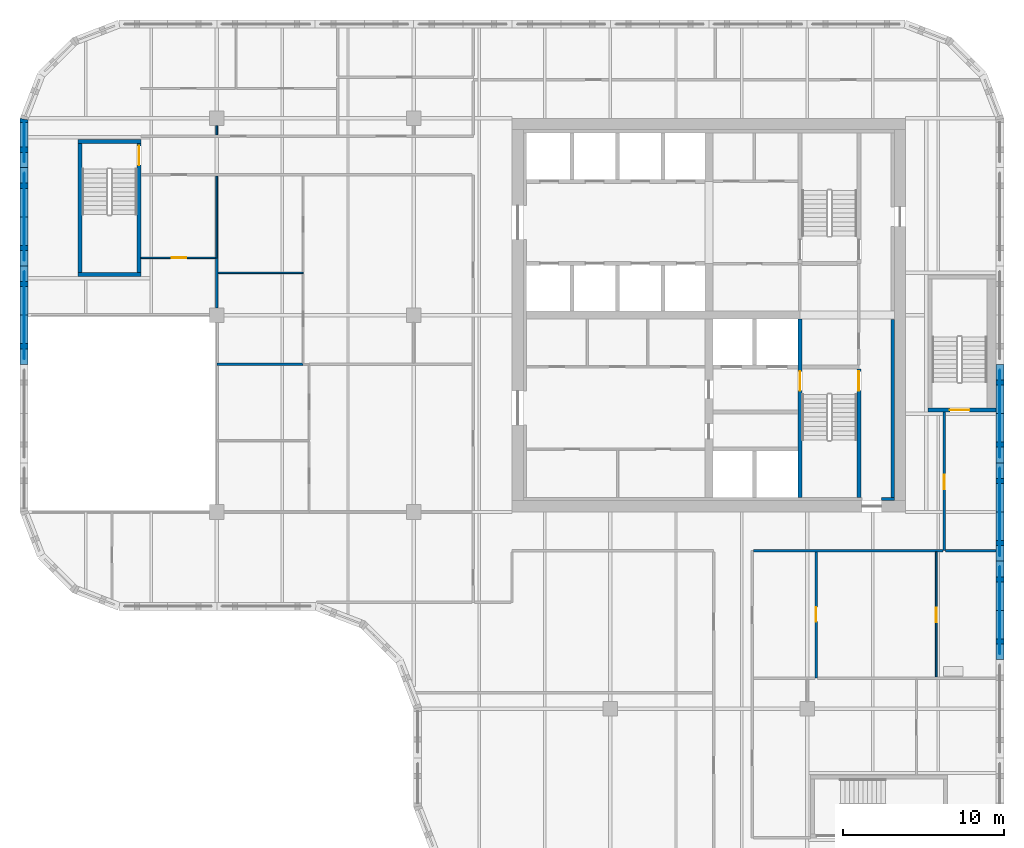
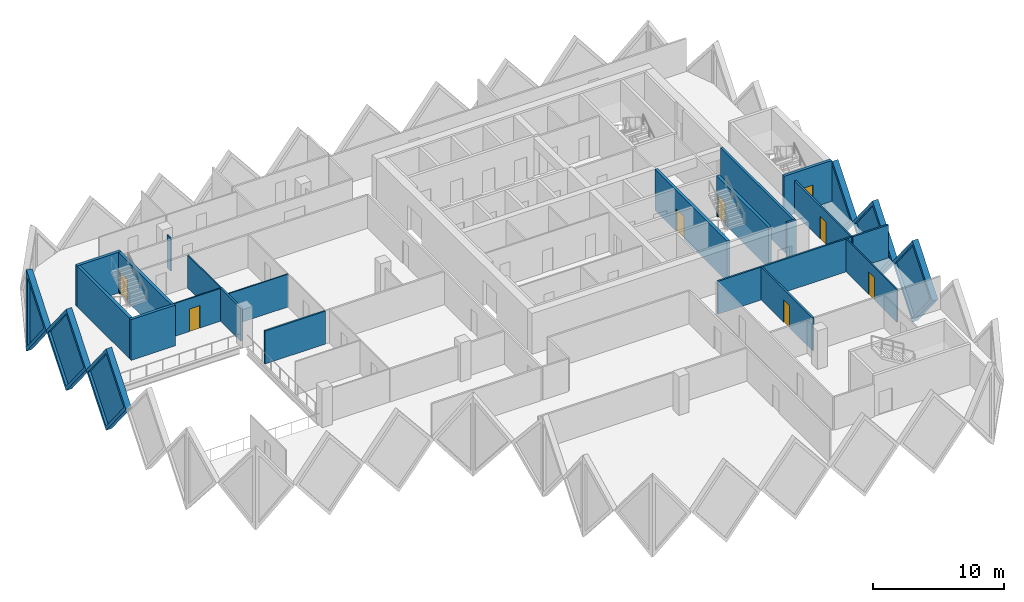
# One storey, part 6 of 12: 26 walls, 8 doors, 6 plates, 14 openings.
"""IFC4 building model written with IfcOpenShell, lengths in metres."""

from ifc_helpers import new_model, si_unit, direction, frame, frame_2d, origin, place, context, subcontext, project, spatial, polyline, rectangle, outline, extrude, faceted_brep, source, transform, mapped, material, layer, layer_set, type_object, element, fill, save


model = new_model("IFC4")

# Units and contexts
model_context = context("Model", 3, precision=1e-05, world=origin(), true_north=direction((0.0, 1.0)))
body_context = subcontext(model_context, "Body", "Model", "MODEL_VIEW")
ifc_project = project(units=[si_unit("LENGTHUNIT", "METRE"), si_unit("AREAUNIT", "SQUARE_METRE"), si_unit("VOLUMEUNIT", "CUBIC_METRE"), si_unit("PLANEANGLEUNIT", "RADIAN"), si_unit("MASSUNIT", "GRAM", prefix="KILO")], contexts=[model_context])

# Site, building, storey
site_placement = place(None, origin())
site = spatial("IfcSite", under=ifc_project, at=site_placement, CompositionType="ELEMENT")
building_placement = place(site_placement, origin())
building = spatial("IfcBuilding", under=site, at=building_placement, Name="Tessera Gate Towers", CompositionType="ELEMENT")
storey_placement = place(building_placement, frame((0.0, 0.0, 124.0)))
storey = spatial("IfcBuildingStorey", under=building, at=storey_placement, Name="L30", CompositionType="ELEMENT", Elevation=124.0)

# Wall, opening, door
ifc_material_1 = material(Name="Concrete C40/50", Category="concrete")
ifc_layer_1 = layer(ifc_material_1, 0.25)
ifc_layer_set_1 = layer_set([ifc_layer_1], Name="CORE ENCLOSURE WALL 250")
wall_type_1 = type_object("IfcWallType", Name="CORE ENCLOSURE WALL 250", PredefinedType="SOLIDWALL", material=ifc_layer_set_1)
wall_1_placement = place(storey_placement, frame((48.35009765625, 36.35009765625, 0.0), z_axis=(0.0, 0.0, 1.0), x_axis=(0.0, -1.0, 0.0)))
wall_1 = element("IfcWall", 1, at=wall_1_placement, inside=storey, type_object=wall_type_1, Name="L30 shaft and stair enclosure wall", PredefinedType="SOLIDWALL", context=body_context, shape_type="SweptSolid", body=[
    extrude(rectangle(XDim=11.050048828125, YDim=0.25, at=frame_2d((5.52490234375, 0.0))), origin(), (0.0, 0.0, 1.0), 3.800048828125),
])
shared_shape_1 = source(origin(), body_context, "Body", "SweptSolid", [
    extrude(rectangle(XDim=1.199951171875, YDim=2.10009765625, at=frame_2d((0.60009765625, 1.050048828125))), frame((0.0, 0.135009765625, 0.0), z_axis=(0.0, -1.0, 0.0), x_axis=(1.0, 0.0, 0.0)), (0.0, 0.0, 1.0), 0.27001953125),
])
opening_1_placement = place(wall_1_placement, frame((3.22509765625, 0.0, 0.0)))
opening_1 = element("IfcOpeningElement", 2, at=opening_1_placement, cuts=wall_1, Name="Opening SD-ST1-1", PredefinedType="OPENING", context=body_context, shape_type="MappedRepresentation", body=[
    mapped(shared_shape_1, transform((0.0, 0.0, 0.0), scale=1.0)),
])
ifc_material_2 = material(Name="Hollow steel fire door", Category="steel")
door_type_1 = type_object("IfcDoorType", Name="CORE DOOR SD 1200x2100", OperationType="NOTDEFINED", PredefinedType="DOOR", material=ifc_material_2)
shared_shape_2 = source(origin(), body_context, "Body", "SweptSolid", [
    extrude(rectangle(XDim=1.199951171875, YDim=2.10009765625, at=frame_2d((0.60009765625, 1.050048828125))), frame((0.0, 0.02490234375, 0.0), z_axis=(0.0, -1.0, 0.0), x_axis=(1.0, 0.0, 0.0)), (0.0, 0.0, 1.0), 0.050048828125),
])
door_1_placement = place(opening_1_placement, origin())
door_1 = element("IfcDoor", 3, at=door_1_placement, inside=storey, type_object=door_type_1, Name="Stair door", OperationType="SINGLE_SWING_LEFT", OverallHeight=2.10009765625, OverallWidth=1.199951171875, PredefinedType="DOOR", context=body_context, shape_type="MappedRepresentation", body=[
    mapped(shared_shape_2, transform((0.0, 0.0, 0.0), scale=1.0)),
])
fill(opening_1, door_1)

wall_2_placement = place(storey_placement, frame((52.0, 25.300048828125, 0.0), z_axis=(0.0, 0.0, 1.0), x_axis=(0.0, 1.0, 0.0)))
wall_2 = element("IfcWall", 4, at=wall_2_placement, inside=storey, type_object=wall_type_1, Name="L30 shaft and stair enclosure wall", PredefinedType="SOLIDWALL", context=body_context, shape_type="SweptSolid", body=[
    extrude(rectangle(XDim=7.974853515625, YDim=0.25, at=frame_2d((3.9873046875, 0.0))), origin(), (0.0, 0.0, 1.0), 3.800048828125),
])
opening_2_placement = place(wall_2_placement, frame((6.625, 0.0, 0.0)))
opening_2 = element("IfcOpeningElement", 5, at=opening_2_placement, cuts=wall_2, Name="Opening SD-ST1-2", PredefinedType="OPENING", context=body_context, shape_type="MappedRepresentation", body=[
    mapped(shared_shape_1, transform((0.0, 0.0, 0.0), scale=1.0)),
])
door_2_placement = place(opening_2_placement, origin())
door_2 = element("IfcDoor", 6, at=door_2_placement, inside=storey, type_object=door_type_1, Name="Stair door", OperationType="SINGLE_SWING_RIGHT", OverallHeight=2.10009765625, OverallWidth=1.199951171875, PredefinedType="DOOR", context=body_context, shape_type="MappedRepresentation", body=[
    mapped(shared_shape_2, transform((0.0, 0.0, 0.0), scale=1.0)),
])
fill(opening_2, door_2)

# Walls
wall_3_placement = place(storey_placement, frame((7.5, 39.125, 0.0), z_axis=(0.0, 0.0, 1.0), x_axis=(-1.0, 0.0, 0.0)))
element("IfcWall", 7, at=wall_3_placement, inside=storey, type_object=wall_type_1, Name="L30 ST3 enclosure wall", PredefinedType="SOLIDWALL", context=body_context, shape_type="SweptSolid", body=[
    extrude(rectangle(XDim=3.89990234375, YDim=0.25, at=frame_2d((1.949951171875, 0.0))), origin(), (0.0, 0.0, 1.0), 3.800048828125),
])
wall_4_placement = place(storey_placement, frame((3.72509765625, 39.25, 0.0), z_axis=(0.0, 0.0, 1.0), x_axis=(0.0, 1.0, 0.0)))
element("IfcWall", 8, at=wall_4_placement, inside=storey, type_object=wall_type_1, Name="L30 ST3 enclosure wall", PredefinedType="SOLIDWALL", context=body_context, shape_type="SweptSolid", body=[
    extrude(rectangle(XDim=8.0, YDim=0.25, at=frame_2d((4.0, 0.0))), origin(), (0.0, 0.0, 1.0), 3.800048828125),
])
wall_5_placement = place(storey_placement, frame((3.60009765625, 47.375, 0.0), z_axis=(0.0, 0.0, 1.0), x_axis=(1.0, 0.0, 0.0)))
element("IfcWall", 9, at=wall_5_placement, inside=storey, type_object=wall_type_1, Name="L30 ST3 enclosure wall", PredefinedType="SOLIDWALL", context=body_context, shape_type="SweptSolid", body=[
    extrude(rectangle(XDim=3.89990234375, YDim=0.25, at=frame_2d((1.949951171875, 0.0))), origin(), (0.0, 0.0, 1.0), 3.800048828125),
])

# Wall, opening, door
wall_6_placement = place(storey_placement, frame((7.375, 47.25, 0.0), z_axis=(0.0, 0.0, 1.0), x_axis=(0.0, -1.0, 0.0)))
wall_6 = element("IfcWall", 10, at=wall_6_placement, inside=storey, type_object=wall_type_1, Name="L30 ST3 enclosure wall", PredefinedType="SOLIDWALL", context=body_context, shape_type="SweptSolid", body=[
    extrude(rectangle(XDim=8.0, YDim=0.25, at=frame_2d((4.0, 0.0))), origin(), (0.0, 0.0, 1.0), 3.800048828125),
])
opening_3_placement = place(wall_6_placement, frame((0.14990234375, 0.0, 0.0)))
opening_3 = element("IfcOpeningElement", 11, at=opening_3_placement, cuts=wall_6, Name="Opening SD-ST3-1", PredefinedType="OPENING", context=body_context, shape_type="MappedRepresentation", body=[
    mapped(shared_shape_1, transform((0.0, 0.0, 0.0), scale=1.0)),
])
door_3_placement = place(opening_3_placement, origin())
door_3 = element("IfcDoor", 12, at=door_3_placement, inside=storey, type_object=door_type_1, Name="Stair door", OperationType="SINGLE_SWING_LEFT", OverallHeight=2.10009765625, OverallWidth=1.199951171875, PredefinedType="DOOR", context=body_context, shape_type="MappedRepresentation", body=[
    mapped(shared_shape_2, transform((0.0, 0.0, 0.0), scale=1.0)),
])
fill(opening_3, door_3)

wall_7_placement = place(storey_placement, frame((60.5, 30.72509765625, 0.0), z_axis=(0.0, 0.0, 1.0), x_axis=(-1.0, 0.0, 0.0)))
wall_7 = element("IfcWall", 13, at=wall_7_placement, inside=storey, type_object=wall_type_1, Name="L30 ST5 enclosure wall", PredefinedType="SOLIDWALL", context=body_context, shape_type="SweptSolid", body=[
    extrude(rectangle(XDim=4.199951171875, YDim=0.25, at=frame_2d((2.10009765625, 0.0))), origin(), (0.0, 0.0, 1.0), 3.800048828125),
])
opening_4_placement = place(wall_7_placement, frame((1.64990234375, 0.0, 0.0)))
opening_4 = element("IfcOpeningElement", 14, at=opening_4_placement, cuts=wall_7, Name="Opening SD-ST5-1", PredefinedType="OPENING", context=body_context, shape_type="MappedRepresentation", body=[
    mapped(shared_shape_1, transform((0.0, 0.0, 0.0), scale=1.0)),
])
door_4_placement = place(opening_4_placement, origin())
door_4 = element("IfcDoor", 15, at=door_4_placement, inside=storey, type_object=door_type_1, Name="Stair door", OperationType="SINGLE_SWING_RIGHT", OverallHeight=2.10009765625, OverallWidth=1.199951171875, PredefinedType="DOOR", context=body_context, shape_type="MappedRepresentation", body=[
    mapped(shared_shape_2, transform((0.0, 0.0, 0.0), scale=1.0)),
])
fill(opening_4, door_4)

# Walls
ifc_material_3 = material(Name="Concrete C60/75", Category="concrete")
ifc_layer_2 = layer(ifc_material_3, 0.199951171875)
ifc_layer_set_2 = layer_set([ifc_layer_2], Name="CORE WALL THICKENING 200")
wall_type_2 = type_object("IfcWallType", Name="CORE WALL THICKENING 200", PredefinedType="SOLIDWALL", material=ifc_layer_set_2)
wall_8_placement = place(storey_placement, frame((53.39990234375, 25.199951171875, 0.0), z_axis=(0.0, 0.0, 1.0), x_axis=(1.0, 0.0, 0.0)))
element("IfcWall", 16, at=wall_8_placement, inside=storey, type_object=wall_type_2, Name="Core wall thickening S L30", PredefinedType="SOLIDWALL", context=body_context, shape_type="SweptSolid", body=[
    extrude(rectangle(XDim=0.800048828125, YDim=0.199951171875, at=frame_2d((0.39990234375, 0.0))), origin(), (0.0, 0.0, 1.0), 3.800048828125),
])
wall_9_placement = place(storey_placement, frame((54.10009765625, 25.300048828125, 0.0), z_axis=(0.0, 0.0, 1.0), x_axis=(0.0, 1.0, 0.0)))
element("IfcWall", 17, at=wall_9_placement, inside=storey, type_object=wall_type_2, Name="Core wall thickening E L30", PredefinedType="SOLIDWALL", context=body_context, shape_type="SweptSolid", body=[
    extrude(rectangle(XDim=11.02001953125, YDim=0.199951171875, at=frame_2d((5.510009765625, 0.0))), origin(), (0.0, 0.0, 1.0), 3.800048828125),
])
ifc_material_4 = material(Name="Gypsum board on steel studs, mineral wool", Category="steel")
ifc_layer_3 = layer(ifc_material_4, 0.14990234375)
ifc_layer_set_3 = layer_set([ifc_layer_3], Name="CORRIDOR WALL 150")
wall_type_3 = type_object("IfcWallType", Name="CORRIDOR WALL 150", PredefinedType="PARTITIONING", material=ifc_layer_set_3)
wall_10_placement = place(storey_placement, frame((45.47607421875, 22.0, 0.0), z_axis=(0.0, 0.0, 1.0), x_axis=(1.0, 0.0, 0.0)))
element("IfcWall", 18, at=wall_10_placement, inside=storey, type_object=wall_type_3, Name="T1-L30-PW-018", PredefinedType="PARTITIONING", context=body_context, shape_type="SweptSolid", body=[
    extrude(rectangle(XDim=11.748046875, YDim=0.14990234375, at=frame_2d((5.8740234375, 0.0))), origin(), (0.0, 0.0, 1.0), 3.06689453125),
])

# Wall, opening, door
wall_11_placement = place(storey_placement, frame((57.300048828125, 30.60009765625, 0.0), z_axis=(0.0, 0.0, 1.0), x_axis=(0.0, -1.0, 0.0)))
wall_11 = element("IfcWall", 19, at=wall_11_placement, inside=storey, type_object=wall_type_3, Name="T1-L30-PW-019", PredefinedType="PARTITIONING", context=body_context, shape_type="SweptSolid", body=[
    extrude(rectangle(XDim=8.60009765625, YDim=0.14990234375, at=frame_2d((4.300048828125, 0.0))), origin(), (0.0, 0.0, 1.0), 3.06689453125),
])
shared_shape_3 = source(origin(), body_context, "Body", "SweptSolid", [
    extrude(rectangle(XDim=0.89990234375, YDim=2.10009765625, at=frame_2d((0.449951171875, 1.050048828125))), frame((0.0, 0.0849609375, 0.0), z_axis=(0.0, -1.0, 0.0), x_axis=(1.0, 0.0, 0.0)), (0.0, 0.0, 1.0), 0.169921875),
])
opening_5_placement = place(wall_11_placement, frame((3.89990234375, 0.0, 0.0)))
opening_5 = element("IfcOpeningElement", 20, at=opening_5_placement, cuts=wall_11, Name="Opening D890FD60-A11-03", PredefinedType="OPENING", context=body_context, shape_type="MappedRepresentation", body=[
    mapped(shared_shape_3, transform((0.0, 0.0, 0.0), scale=1.0)),
])
ifc_material_5 = material(Name="Timber door leaf in steel frame", Category="steel")
door_type_2 = type_object("IfcDoorType", Name="CORRIDOR DOOR 900 FD60", OperationType="NOTDEFINED", PredefinedType="DOOR", material=ifc_material_5)
shared_shape_4 = source(origin(), body_context, "Body", "SweptSolid", [
    extrude(rectangle(XDim=0.89990234375, YDim=2.10009765625, at=frame_2d((0.449951171875, 1.050048828125))), frame((0.0, 0.02490234375, 0.0), z_axis=(0.0, -1.0, 0.0), x_axis=(1.0, 0.0, 0.0)), (0.0, 0.0, 1.0), 0.050048828125),
])
door_5_placement = place(opening_5_placement, origin())
door_5 = element("IfcDoor", 21, at=door_5_placement, inside=storey, type_object=door_type_2, Name="T1-L30-PD-017", OperationType="SINGLE_SWING_RIGHT", OverallHeight=2.10009765625, OverallWidth=0.89990234375, PredefinedType="DOOR", context=body_context, shape_type="MappedRepresentation", body=[
    mapped(shared_shape_4, transform((0.0, 0.0, 0.0), scale=1.0)),
])
fill(opening_5, door_5)

# Wall
ifc_material_6 = material(Name="Glass", Category="glass")
ifc_layer_4 = layer(ifc_material_6, 0.10009765625)
ifc_layer_set_4 = layer_set([ifc_layer_4], Name="GLAZED PARTITION 100")
wall_type_4 = type_object("IfcWallType", Name="GLAZED PARTITION 100", PredefinedType="PARTITIONING", material=ifc_layer_set_4)
wall_12_placement = place(storey_placement, frame((12.199951171875, 40.156005859375, 0.0), z_axis=(0.0, 0.0, 1.0), x_axis=(0.0, 1.0, 0.0)))
element("IfcWall", 22, at=wall_12_placement, inside=storey, type_object=wall_type_4, Name="T1-L30-PW-036", PredefinedType="PARTITIONING", context=body_context, shape_type="SweptSolid", body=[
    extrude(rectangle(XDim=5.068115234375, YDim=0.10009765625, at=frame_2d((2.5341796875, 0.0))), origin(), (0.0, 0.0, 1.0), 3.06689453125),
])

# Wall, opening, door
ifc_material_7 = material(Name="Gypsum board on steel studs", Category="steel")
ifc_layer_5 = layer(ifc_material_7, 0.10009765625)
ifc_layer_set_5 = layer_set([ifc_layer_5], Name="PARTITION 100")
wall_type_5 = type_object("IfcWallType", Name="PARTITION 100", PredefinedType="PARTITIONING", material=ifc_layer_set_5)
wall_13_placement = place(storey_placement, frame((56.800048828125, 21.924072265625, 0.0), z_axis=(0.0, 0.0, 1.0), x_axis=(0.0, -1.0, 0.0)))
wall_13 = element("IfcWall", 23, at=wall_13_placement, inside=storey, type_object=wall_type_5, Name="T1-L30-PW-011", PredefinedType="PARTITIONING", context=body_context, shape_type="SweptSolid", body=[
    extrude(rectangle(XDim=7.748046875, YDim=0.10009765625, at=frame_2d((3.8740234375, 0.0))), origin(), (0.0, 0.0, 1.0), 3.06689453125),
])
shared_shape_5 = source(origin(), body_context, "Body", "SweptSolid", [
    extrude(rectangle(XDim=0.89990234375, YDim=2.10009765625, at=frame_2d((0.449951171875, 1.050048828125))), frame((0.0, 0.06005859375, 0.0), z_axis=(0.0, -1.0, 0.0), x_axis=(1.0, 0.0, 0.0)), (0.0, 0.0, 1.0), 0.1201171875),
])
opening_6_placement = place(wall_13_placement, frame((3.447998046875, 0.0, 0.0)))
opening_6 = element("IfcOpeningElement", 24, at=opening_6_placement, cuts=wall_13, Name="Opening D190-A11-03", PredefinedType="OPENING", context=body_context, shape_type="MappedRepresentation", body=[
    mapped(shared_shape_5, transform((0.0, 0.0, 0.0), scale=1.0)),
])
ifc_material_8 = material(Name="Timber door leaf in steel frame", Category="steel")
door_type_3 = type_object("IfcDoorType", Name="INTERNAL DOOR 900 NOT RATED", OperationType="NOTDEFINED", PredefinedType="DOOR", material=ifc_material_8)
door_6_placement = place(opening_6_placement, origin())
door_6 = element("IfcDoor", 25, at=door_6_placement, inside=storey, type_object=door_type_3, Name="T1-L30-PD-012", OperationType="SINGLE_SWING_RIGHT", OverallHeight=2.10009765625, OverallWidth=0.89990234375, PredefinedType="DOOR", context=body_context, shape_type="MappedRepresentation", body=[
    mapped(shared_shape_4, transform((0.0, 0.0, 0.0), scale=1.0)),
])
fill(opening_6, door_6)

# Wall
wall_14_placement = place(storey_placement, frame((12.27587890625, 39.22607421875, 0.0), z_axis=(0.0, 0.0, 1.0), x_axis=(1.0, 0.0, 0.0)))
element("IfcWall", 26, at=wall_14_placement, inside=storey, type_object=wall_type_5, Name="T1-L30-PW-033", PredefinedType="PARTITIONING", context=body_context, shape_type="SweptSolid", body=[
    extrude(rectangle(XDim=5.274169921875, YDim=0.10009765625, at=frame_2d((2.63720703125, 0.0))), origin(), (0.0, 0.0, 1.0), 3.06689453125),
])

# Wall, opening, door
wall_15_placement = place(storey_placement, frame((12.1240234375, 40.155029296875, 0.0), z_axis=(0.0, 0.0, 1.0), x_axis=(-1.0, 0.0, 0.0)))
wall_15 = element("IfcWall", 27, at=wall_15_placement, inside=storey, type_object=wall_type_5, Name="T1-L30-PW-035", PredefinedType="PARTITIONING", context=body_context, shape_type="SweptSolid", body=[
    extrude(rectangle(XDim=4.6240234375, YDim=0.10009765625, at=frame_2d((2.31201171875, 0.0))), origin(), (0.0, 0.0, 1.0), 3.06689453125),
])
opening_7_placement = place(wall_15_placement, frame((1.823974609375, 0.0, 0.0)))
opening_7 = element("IfcOpeningElement", 28, at=opening_7_placement, cuts=wall_15, Name="Opening D190-A11-01", PredefinedType="OPENING", context=body_context, shape_type="MappedRepresentation", body=[
    mapped(shared_shape_5, transform((0.0, 0.0, 0.0), scale=1.0)),
])
door_7_placement = place(opening_7_placement, origin())
door_7 = element("IfcDoor", 29, at=door_7_placement, inside=storey, type_object=door_type_3, Name="T1-L30-PD-004", OperationType="SINGLE_SWING_RIGHT", OverallHeight=2.10009765625, OverallWidth=0.89990234375, PredefinedType="DOOR", context=body_context, shape_type="MappedRepresentation", body=[
    mapped(shared_shape_4, transform((0.0, 0.0, 0.0), scale=1.0)),
])
fill(opening_7, door_7)

# Wall
wall_16_placement = place(storey_placement, frame((12.199951171875, 48.35009765625, 0.0), z_axis=(0.0, 0.0, 1.0), x_axis=(0.0, -1.0, 0.0)))
element("IfcWall", 30, at=wall_16_placement, inside=storey, type_object=wall_type_5, Name="T1-L30-PW-041", PredefinedType="PARTITIONING", context=body_context, shape_type="SweptSolid", body=[
    extrude(rectangle(XDim=0.5751953125, YDim=0.10009765625, at=frame_2d((0.28759765625, 0.0))), origin(), (0.0, 0.0, 1.0), 3.06689453125),
])

# Wall, opening, door
ifc_material_9 = material(Name="Gypsum board on steel studs, mineral wool", Category="steel")
ifc_layer_6 = layer(ifc_material_9, 0.14990234375)
ifc_layer_set_6 = layer_set([ifc_layer_6], Name="TENANCY WALL 150")
wall_type_6 = type_object("IfcWallType", Name="TENANCY WALL 150", PredefinedType="PARTITIONING", material=ifc_layer_set_6)
wall_17_placement = place(storey_placement, frame((49.35009765625, 21.924072265625, 0.0), z_axis=(0.0, 0.0, 1.0), x_axis=(0.0, -1.0, 0.0)))
wall_17 = element("IfcWall", 31, at=wall_17_placement, inside=storey, type_object=wall_type_6, Name="T1-L30-PW-009", PredefinedType="PARTITIONING", context=body_context, shape_type="SweptSolid", body=[
    extrude(rectangle(XDim=7.823974609375, YDim=0.14990234375, at=frame_2d((3.912109375, 0.0))), origin(), (0.0, 0.0, 1.0), 3.06689453125),
])
opening_8_placement = place(wall_17_placement, frame((3.424072265625, 0.0, 0.0)))
opening_8 = element("IfcOpeningElement", 32, at=opening_8_placement, cuts=wall_17, Name="Opening D190-A11-04", PredefinedType="OPENING", context=body_context, shape_type="MappedRepresentation", body=[
    mapped(shared_shape_3, transform((0.0, 0.0, 0.0), scale=1.0)),
])
door_8_placement = place(opening_8_placement, origin())
door_8 = element("IfcDoor", 33, at=door_8_placement, inside=storey, type_object=door_type_3, Name="T1-L30-PD-013", OperationType="SINGLE_SWING_RIGHT", OverallHeight=2.10009765625, OverallWidth=0.89990234375, PredefinedType="DOOR", context=body_context, shape_type="MappedRepresentation", body=[
    mapped(shared_shape_4, transform((0.0, 0.0, 0.0), scale=1.0)),
])
fill(opening_8, door_8)

# Walls
wall_18_placement = place(storey_placement, frame((57.3759765625, 22.0, 0.0), z_axis=(0.0, 0.0, 1.0), x_axis=(1.0, 0.0, 0.0)))
element("IfcWall", 34, at=wall_18_placement, inside=storey, type_object=wall_type_6, Name="T1-L30-PW-020", PredefinedType="PARTITIONING", context=body_context, shape_type="SweptSolid", body=[
    extrude(rectangle(XDim=3.1240234375, YDim=0.14990234375, at=frame_2d((1.56201171875, 0.0))), origin(), (0.0, 0.0, 1.0), 3.06689453125),
])
wall_19_placement = place(storey_placement, frame((12.199951171875, 33.550048828125, 0.0), z_axis=(0.0, 0.0, 1.0), x_axis=(1.0, 0.0, 0.0)))
element("IfcWall", 35, at=wall_19_placement, inside=storey, type_object=wall_type_6, Name="T1-L30-PW-027", PredefinedType="PARTITIONING", context=body_context, shape_type="SweptSolid", body=[
    extrude(rectangle(XDim=5.35009765625, YDim=0.14990234375, at=frame_2d((2.675048828125, 0.0))), origin(), (0.0, 0.0, 1.0), 3.06689453125),
])
wall_20_placement = place(storey_placement, frame((12.199951171875, 37.051025390625, 0.0), z_axis=(0.0, 0.0, 1.0), x_axis=(0.0, 1.0, 0.0)))
element("IfcWall", 36, at=wall_20_placement, inside=storey, type_object=wall_type_6, Name="T1-L30-PW-032", PredefinedType="PARTITIONING", context=body_context, shape_type="SweptSolid", body=[
    extrude(rectangle(XDim=3.10400390625, YDim=0.14990234375, at=frame_2d((1.552001953125, 0.0))), origin(), (0.0, 0.0, 1.0), 3.06689453125),
])

# Wall, opening, plate
ifc_material_10 = material(Name="Precast concrete C60/75 white", Category="concrete")
ifc_layer_7 = layer(ifc_material_10, 0.5)
ifc_layer_set_7 = layer_set([ifc_layer_7], Name="TS1 tessera")
wall_type_7 = type_object("IfcWallType", Name="TS1 tessera", PredefinedType="SOLIDWALL", material=ifc_layer_set_7)
shared_shape_6 = source(origin(), body_context, "Body", "Brep", [
    faceted_brep([(3.050048828125, -0.25, 0.0), (6.099853515625, -0.25, 3.7998046875), (6.099853515625, -0.25, 3.80029296875), (3.050048828125, -0.25, 7.60009765625), (0.0, -0.25, 3.800048828125), (0.0, 0.25, 3.800048828125), (3.050048828125, 0.25, 7.60009765625), (6.099853515625, 0.25, 3.80029296875), (6.099853515625, 0.25, 3.7998046875), (3.050048828125, 0.25, 0.0)], [[[0, 1, 2, 3, 4]], [[5, 6, 7, 8, 9]], [[9, 8, 1, 0]], [[7, 6, 3, 2]], [[6, 5, 4, 3]], [[5, 9, 0, 4]], [[1, 8, 7, 2]]]),
])
wall_21_placement = place(storey_placement, frame((60.75, 21.35009765625, -3.800048828125), z_axis=(0.0, 0.0, 1.0), x_axis=(0.0, 1.0, 0.0)))
wall_21 = element("IfcWall", 37, at=wall_21_placement, inside=storey, type_object=wall_type_7, Name="Precast tessera T1 TS1-0489", PredefinedType="SOLIDWALL", context=body_context, shape_type="MappedRepresentation", body=[
    mapped(shared_shape_6, transform((0.0, 0.0, 0.0), scale=1.0)),
])
shared_shape_7 = source(origin(), body_context, "Body", "SweptSolid", [
    extrude(outline(polyline([(3.050048828125, 0.3994140625), (5.779541015625, 3.800048828125), (3.050048828125, 7.20068359375), (0.320556640625, 3.800048828125), (3.050048828125, 0.3994140625)])), frame((0.0, 0.260009765625, 0.0), z_axis=(0.0, -1.0, 0.0), x_axis=(1.0, 0.0, 0.0)), (0.0, 0.0, 1.0), 0.52001953125),
])
opening_9_placement = place(wall_21_placement, origin())
opening_9 = element("IfcOpeningElement", 38, at=opening_9_placement, cuts=wall_21, Name="Opening T1-PL2-0997", PredefinedType="OPENING", context=body_context, shape_type="MappedRepresentation", body=[
    mapped(shared_shape_7, transform((0.0, 0.0, 0.0), scale=1.0)),
])
ifc_material_11 = material(Name="Low-e laminated glass", Category="glass")
ifc_layer_8 = layer(ifc_material_11, 0.06005859375)
ifc_layer_set_8 = layer_set([ifc_layer_8], Name="PL2 rhombic pane")
plate_type = type_object("IfcPlateType", Name="PL2 rhombic pane", PredefinedType="SHEET", material=ifc_layer_set_8)
shared_shape_8 = source(origin(), body_context, "Body", "SweptSolid", [
    extrude(outline(polyline([(3.050048828125, 0.3994140625), (5.779541015625, 3.800048828125), (3.050048828125, 7.20068359375), (0.320556640625, 3.800048828125), (3.050048828125, 0.3994140625)])), frame((0.0, 0.030029296875, 0.0), z_axis=(0.0, -1.0, 0.0), x_axis=(1.0, 0.0, 0.0)), (0.0, 0.0, 1.0), 0.06005859375),
])
plate_1_placement = place(opening_9_placement, origin())
plate_1 = element("IfcPlate", 39, at=plate_1_placement, inside=storey, type_object=plate_type, Name="Glass pane T1 PL2-0997", PredefinedType="SHEET", context=body_context, shape_type="MappedRepresentation", body=[
    mapped(shared_shape_8, transform((0.0, 0.0, 0.0), scale=1.0)),
])
fill(opening_9, plate_1)

wall_22_placement = place(storey_placement, frame((0.25, 39.64990234375, -3.800048828125), z_axis=(0.0, 0.0, 1.0), x_axis=(0.0, -1.0, 0.0)))
wall_22 = element("IfcWall", 40, at=wall_22_placement, inside=storey, type_object=wall_type_7, Name="Precast tessera T1 TS1-0502", PredefinedType="SOLIDWALL", context=body_context, shape_type="MappedRepresentation", body=[
    mapped(shared_shape_6, transform((0.0, 0.0, 0.0), scale=1.0)),
])
opening_10_placement = place(wall_22_placement, origin())
opening_10 = element("IfcOpeningElement", 41, at=opening_10_placement, cuts=wall_22, Name="Opening T1-PL2-1018", PredefinedType="OPENING", context=body_context, shape_type="MappedRepresentation", body=[
    mapped(shared_shape_7, transform((0.0, 0.0, 0.0), scale=1.0)),
])
plate_2_placement = place(opening_10_placement, origin())
plate_2 = element("IfcPlate", 42, at=plate_2_placement, inside=storey, type_object=plate_type, Name="Glass pane T1 PL2-1018", PredefinedType="SHEET", context=body_context, shape_type="MappedRepresentation", body=[
    mapped(shared_shape_8, transform((0.0, 0.0, 0.0), scale=1.0)),
])
fill(opening_10, plate_2)

shared_shape_9 = source(origin(), body_context, "Body", "SweptSolid", [
    extrude(outline(polyline([(3.050048828125, 0.0), (6.10009765625, 3.800048828125), (3.050048828125, 7.60009765625), (0.0, 3.800048828125), (3.050048828125, 0.0)])), frame((0.0, 0.25, 0.0), z_axis=(0.0, -1.0, 0.0), x_axis=(1.0, 0.0, 0.0)), (0.0, 0.0, 1.0), 0.5),
])
wall_23_placement = place(storey_placement, frame((60.75, 15.25, -3.800048828125), z_axis=(0.0, 0.0, 1.0), x_axis=(0.0, 1.0, 0.0)))
wall_23 = element("IfcWall", 43, at=wall_23_placement, inside=storey, type_object=wall_type_7, Name="Precast tessera T1 TS1-0488", PredefinedType="SOLIDWALL", context=body_context, shape_type="MappedRepresentation", body=[
    mapped(shared_shape_9, transform((0.0, 0.0, 0.0), scale=1.0)),
])
opening_11_placement = place(wall_23_placement, origin())
opening_11 = element("IfcOpeningElement", 44, at=opening_11_placement, cuts=wall_23, Name="Opening T1-PL2-0996", PredefinedType="OPENING", context=body_context, shape_type="MappedRepresentation", body=[
    mapped(shared_shape_7, transform((0.0, 0.0, 0.0), scale=1.0)),
])
plate_3_placement = place(opening_11_placement, origin())
plate_3 = element("IfcPlate", 45, at=plate_3_placement, inside=storey, type_object=plate_type, Name="Glass pane T1 PL2-0996", PredefinedType="SHEET", context=body_context, shape_type="MappedRepresentation", body=[
    mapped(shared_shape_8, transform((0.0, 0.0, 0.0), scale=1.0)),
])
fill(opening_11, plate_3)

wall_24_placement = place(storey_placement, frame((60.75, 27.449951171875, -3.800048828125), z_axis=(0.0, 0.0, 1.0), x_axis=(0.0, 1.0, 0.0)))
wall_24 = element("IfcWall", 46, at=wall_24_placement, inside=storey, type_object=wall_type_7, Name="Precast tessera T1 TS1-0490", PredefinedType="SOLIDWALL", context=body_context, shape_type="MappedRepresentation", body=[
    mapped(shared_shape_9, transform((0.0, 0.0, 0.0), scale=1.0)),
])
opening_12_placement = place(wall_24_placement, origin())
opening_12 = element("IfcOpeningElement", 47, at=opening_12_placement, cuts=wall_24, Name="Opening T1-PL2-0998", PredefinedType="OPENING", context=body_context, shape_type="MappedRepresentation", body=[
    mapped(shared_shape_7, transform((0.0, 0.0, 0.0), scale=1.0)),
])
plate_4_placement = place(opening_12_placement, origin())
plate_4 = element("IfcPlate", 48, at=plate_4_placement, inside=storey, type_object=plate_type, Name="Glass pane T1 PL2-0998", PredefinedType="SHEET", context=body_context, shape_type="MappedRepresentation", body=[
    mapped(shared_shape_8, transform((0.0, 0.0, 0.0), scale=1.0)),
])
fill(opening_12, plate_4)

wall_25_placement = place(storey_placement, frame((0.25, 45.75, -3.800048828125), z_axis=(0.0, 0.0, 1.0), x_axis=(0.0, -1.0, 0.0)))
wall_25 = element("IfcWall", 49, at=wall_25_placement, inside=storey, type_object=wall_type_7, Name="Precast tessera T1 TS1-0501", PredefinedType="SOLIDWALL", context=body_context, shape_type="MappedRepresentation", body=[
    mapped(shared_shape_9, transform((0.0, 0.0, 0.0), scale=1.0)),
])
opening_13_placement = place(wall_25_placement, origin())
opening_13 = element("IfcOpeningElement", 50, at=opening_13_placement, cuts=wall_25, Name="Opening T1-PL2-1017", PredefinedType="OPENING", context=body_context, shape_type="MappedRepresentation", body=[
    mapped(shared_shape_7, transform((0.0, 0.0, 0.0), scale=1.0)),
])
plate_5_placement = place(opening_13_placement, origin())
plate_5 = element("IfcPlate", 51, at=plate_5_placement, inside=storey, type_object=plate_type, Name="Glass pane T1 PL2-1017", PredefinedType="SHEET", context=body_context, shape_type="MappedRepresentation", body=[
    mapped(shared_shape_8, transform((0.0, 0.0, 0.0), scale=1.0)),
])
fill(opening_13, plate_5)

ifc_material_12 = material(Name="Precast concrete C60/75 white", Category="concrete")
ifc_layer_9 = layer(ifc_material_12, 0.5)
ifc_layer_set_9 = layer_set([ifc_layer_9], Name="TS3 corner tessera")
wall_type_8 = type_object("IfcWallType", Name="TS3 corner tessera", PredefinedType="SOLIDWALL", material=ifc_layer_set_9)
shared_shape_10 = source(origin(), body_context, "Body", "Brep", [
    faceted_brep([(0.046630859375, -0.25, 0.0), (3.050048828125, -0.25, 3.800048828125), (0.046630859375, -0.25, 7.60009765625), (0.0, -0.25, 7.5400390625), (0.0, -0.25, 0.06005859375), (0.09326171875, 0.25, 7.541259765625), (3.050048828125, 0.25, 3.800048828125), (0.09326171875, 0.25, 0.058837890625), (0.046630859375, 0.0, 0.0), (0.046630859375, 0.0, 7.60009765625)], [[[0, 1, 2, 3, 4]], [[5, 6, 7]], [[7, 6, 1, 0, 8]], [[6, 5, 9, 2, 1]], [[3, 2, 9]], [[8, 0, 4]], [[7, 8, 4, 3, 9, 5]]]),
])
wall_26_placement = place(storey_placement, frame((0.25, 48.800048828125, -3.800048828125), z_axis=(0.0, 0.0, 1.0), x_axis=(0.0, -1.0, 0.0)))
wall_26 = element("IfcWall", 52, at=wall_26_placement, inside=storey, type_object=wall_type_8, Name="Precast corner tessera T1 TS3-0684", PredefinedType="SOLIDWALL", context=body_context, shape_type="MappedRepresentation", body=[
    mapped(shared_shape_10, transform((0.0, 0.0, 0.0), scale=1.0)),
])
shared_shape_11 = source(origin(), body_context, "Body", "SweptSolid", [
    extrude(outline(polyline([(0.24658203125, 0.65625), (2.7314453125, 3.800048828125), (0.24658203125, 6.94384765625), (0.24658203125, 0.65625)])), frame((0.0, 0.260009765625, 0.0), z_axis=(0.0, -1.0, 0.0), x_axis=(1.0, 0.0, 0.0)), (0.0, 0.0, 1.0), 0.52001953125),
])
opening_14_placement = place(wall_26_placement, origin())
opening_14 = element("IfcOpeningElement", 53, at=opening_14_placement, cuts=wall_26, Name="Opening T1-PL2-1016", PredefinedType="OPENING", context=body_context, shape_type="MappedRepresentation", body=[
    mapped(shared_shape_11, transform((0.0, 0.0, 0.0), scale=1.0)),
])
shared_shape_12 = source(origin(), body_context, "Body", "SweptSolid", [
    extrude(outline(polyline([(0.24658203125, 0.65625), (2.7314453125, 3.800048828125), (0.24658203125, 6.94384765625), (0.24658203125, 0.65625)])), frame((0.0, 0.030029296875, 0.0), z_axis=(0.0, -1.0, 0.0), x_axis=(1.0, 0.0, 0.0)), (0.0, 0.0, 1.0), 0.06005859375),
])
plate_6_placement = place(opening_14_placement, origin())
plate_6 = element("IfcPlate", 54, at=plate_6_placement, inside=storey, type_object=plate_type, Name="Glass pane T1 PL2-1016", PredefinedType="SHEET", context=body_context, shape_type="MappedRepresentation", body=[
    mapped(shared_shape_12, transform((0.0, 0.0, 0.0), scale=1.0)),
])
fill(opening_14, plate_6)

save(model, "model.ifc")
